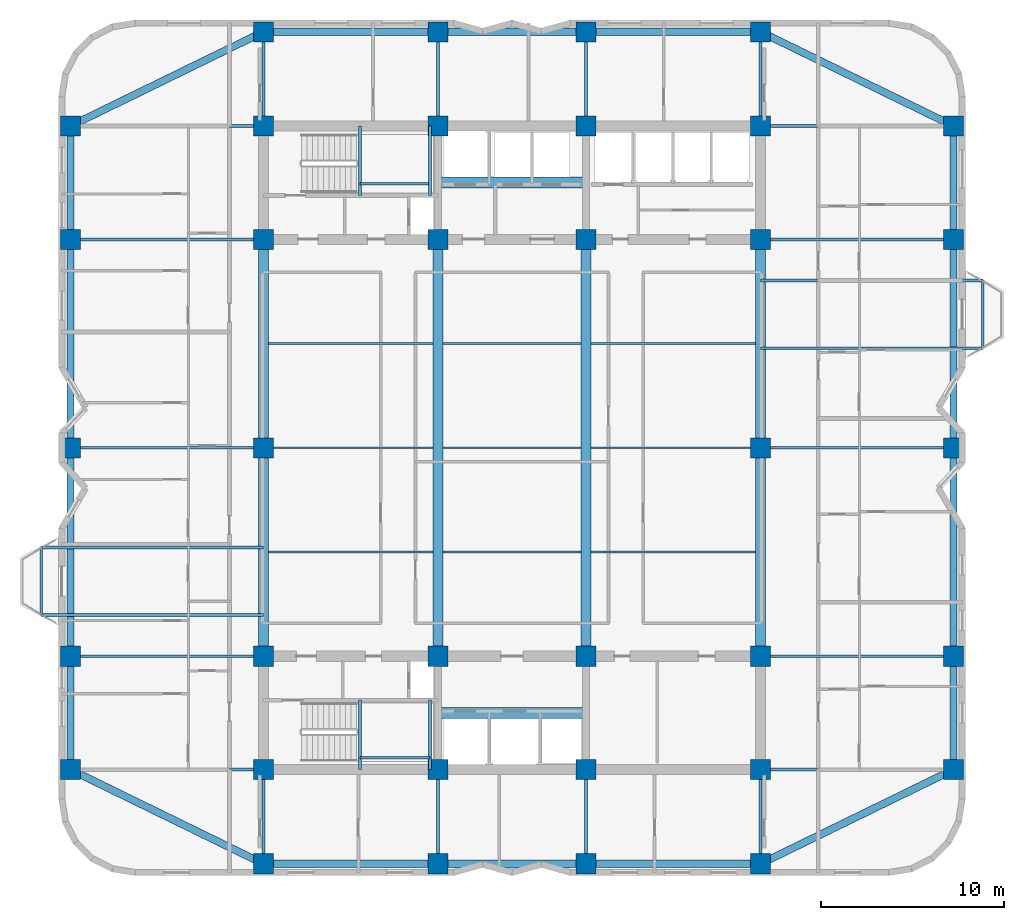
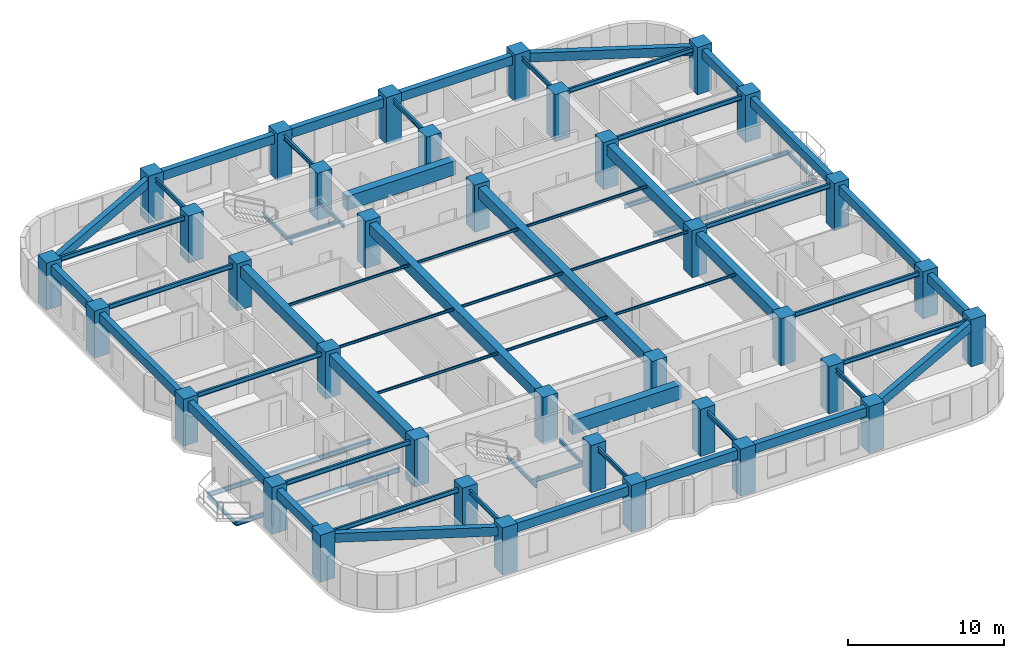
# One storey, part 1 of 10: 65 beams, 36 columns.
"""IFC4 building model written with IfcOpenShell, lengths in metres."""

import ifcopenshell
import ifcopenshell.guid

model = None  # the IFC model being written
_history = None  # IfcOwnerHistory: only IFC2X3 demands one
_inside = {}  # id of a spatial element -> (the spatial element, [elements in it])
_under = {}  # id of a project, library or spatial element -> (it, [spatial elements below it])
_declared = {}  # id of a project -> (the project, [libraries it declares])
_typed = {}  # id of a type object -> (the type object, [elements of that type])
_made_of = {}  # id of a material, layer set ... -> (it, [elements and type objects made of it])


def new_model(schema):
    """Start an empty IFC model of exactly this schema.

    Asked for "IFC4X3", IfcOpenShell would pick the latest addendum, in which some entities
    have other attributes; the version numbers below select the first issue.
    IFC2X3 requires an IfcOwnerHistory on every rooted entity: one is made here for all.
    """
    global model, _history
    if schema == "IFC4X3":
        model = ifcopenshell.file(schema_version=(4, 3, 0, 0))
    else:
        model = ifcopenshell.file(schema=schema)
    _inside.clear()
    _under.clear()
    _declared.clear()
    _typed.clear()
    _made_of.clear()
    _history = None
    if model.schema == "IFC2X3":
        org = make("IfcOrganization", Name="unknown")
        user = make(
            "IfcPersonAndOrganization",
            ThePerson=make("IfcPerson", FamilyName="unknown"),
            TheOrganization=org,
        )
        app = make(
            "IfcApplication",
            ApplicationDeveloper=org,
            Version="unknown",
            ApplicationFullName="unknown",
            ApplicationIdentifier="unknown",
        )
        _history = make(
            "IfcOwnerHistory",
            OwningUser=user,
            OwningApplication=app,
            ChangeAction="ADDED",
            CreationDate=0,
        )
    return model


def make(cls, **values):
    """One entity of the class cls with the attributes given. An attribute that is None is left unset."""
    return model.create_entity(
        cls, **{name: value for name, value in values.items() if value is not None}
    )


def rooted(cls, **values):
    """An entity with a GlobalId (a new one), such as an element, a storey or a relation."""
    return make(cls, GlobalId=ifcopenshell.guid.new(), OwnerHistory=_history, **values)


def si_unit(unit_type, name, prefix=None):
    """IfcSIUnit, for example si_unit("LENGTHUNIT", "METRE", prefix="MILLI")."""
    return make("IfcSIUnit", UnitType=unit_type, Prefix=prefix, Name=name)


def assignment(units):
    """IfcUnitAssignment: the units of a project."""
    return None if units is None else make("IfcUnitAssignment", Units=units)


def point(xyz):
    """IfcCartesianPoint."""
    return None if xyz is None else make("IfcCartesianPoint", Coordinates=xyz)


def direction(xyz):
    """IfcDirection."""
    return None if xyz is None else make("IfcDirection", DirectionRatios=xyz)


def frame(location, z_axis=None, x_axis=None):
    """IfcAxis2Placement3D, a coordinate frame: its origin and axes. An axis left out is left unset."""
    return make(
        "IfcAxis2Placement3D",
        Location=point(location),
        Axis=direction(z_axis),
        RefDirection=direction(x_axis),
    )


def frame_2d(location, x_axis=None):
    """IfcAxis2Placement2D, a coordinate frame in the plane: its origin and x axis."""
    return make(
        "IfcAxis2Placement2D", Location=point(location), RefDirection=direction(x_axis)
    )


def origin():
    """The frame at (0, 0, 0) with its axes left unset."""
    return frame((0.0, 0.0, 0.0))


def origin_2d():
    """The frame at (0, 0) in the plane with its x axis left unset."""
    return frame_2d((0.0, 0.0))


def place(relative_to, where):
    """IfcLocalPlacement: puts the frame where relative to a parent placement (None: the world)."""
    return make(
        "IfcLocalPlacement", PlacementRelTo=relative_to, RelativePlacement=where
    )


def context(
    kind, dimensions, precision=None, world=None, true_north=None, identifier=None
):
    """IfcGeometricRepresentationContext, for example the 3D "Model" context."""
    return make(
        "IfcGeometricRepresentationContext",
        ContextIdentifier=identifier,
        ContextType=kind,
        CoordinateSpaceDimension=dimensions,
        Precision=precision,
        WorldCoordinateSystem=world,
        TrueNorth=true_north,
    )


def subcontext(parent, identifier, kind, view, scale=None):
    """IfcGeometricRepresentationSubContext, for example "Body" below "Model"."""
    return make(
        "IfcGeometricRepresentationSubContext",
        ContextIdentifier=identifier,
        ContextType=kind,
        ParentContext=parent,
        TargetScale=scale,
        TargetView=view,
    )


def project(units=None, contexts=None):
    """IfcProject with its units and contexts."""
    return rooted(
        "IfcProject",
        Name="project",
        RepresentationContexts=contexts,
        UnitsInContext=assignment(units),
    )


def spatial(cls, under=None, at=None, **own):
    """A site, building, storey or space (cls), placed at a placement, below another one or the project."""
    s = rooted(cls, ObjectPlacement=at, **own)
    if under is not None:
        _under.setdefault(under.id(), (under, []))[1].append(s)
    return s


def profile(cls, at=None, kind="AREA", **sizes):
    """A parametric profile (cls). Its sizes go by their IFC names, for example OverallWidth=200.0."""
    return make(cls, ProfileType=kind, Position=at, **sizes)


def rectangle(**sizes):
    """IfcRectangleProfileDef."""
    return profile("IfcRectangleProfileDef", **sizes)


def i_section(**sizes):
    """IfcIShapeProfileDef."""
    return profile("IfcIShapeProfileDef", **sizes)


def extrude(swept, where, along, depth):
    """IfcExtrudedAreaSolid: the profile swept, set in the frame where, extruded along a direction by depth."""
    return make(
        "IfcExtrudedAreaSolid",
        SweptArea=swept,
        Position=where,
        ExtrudedDirection=direction(along),
        Depth=depth,
    )


def shape(context_of_items, identifier, shape_type, items):
    """IfcShapeRepresentation: the items that make up one representation, for example the "Body"."""
    return make(
        "IfcShapeRepresentation",
        ContextOfItems=context_of_items,
        RepresentationIdentifier=identifier,
        RepresentationType=shape_type,
        Items=items,
    )


def material(Name=None, Category=None):
    """IfcMaterial."""
    return make("IfcMaterial", Name=Name, Category=Category)


def material_profile(
    of_material, cross_section, Name=None, Category=None, Priority=None
):
    """IfcMaterialProfile: a cross section and its material."""
    return make(
        "IfcMaterialProfile",
        Name=Name,
        Material=of_material,
        Profile=cross_section,
        Priority=Priority,
        Category=Category,
    )


def profile_set(profiles, Name=None, composite=None):
    """IfcMaterialProfileSet."""
    return make(
        "IfcMaterialProfileSet",
        Name=Name,
        MaterialProfiles=profiles,
        CompositeProfile=composite,
    )


def made_of(thing, what):
    """Note that an element or type object is made of a material, layer set ...; save() writes the relation."""
    if what is not None:
        _made_of.setdefault(what.id(), (what, []))[1].append(thing)
    return thing


def type_object(cls, material=None, **own):
    """A type object (cls), such as IfcWallType, which elements share."""
    return made_of(rooted(cls, **own), material)


def element(
    cls,
    number,
    at=None,
    inside=None,
    cuts=None,
    type_object=None,
    material=None,
    context=None,
    identifier="Body",
    shape_type=None,
    held_by="IfcProductDefinitionShape",
    body=None,
    shapes=None,
    **own,
):
    """One element of the class cls, such as IfcWall. Its Tag is "e" and its number.

    at: its placement. inside: the storey or other place that contains it. cuts: it is an
    opening in that element (IfcRelVoidsElement). A single representation is given by context,
    identifier, shape_type and body (its items); several are given by shapes. held_by: the class
    of the entity that holds the representations. save() writes the other relations.
    """
    e = rooted(cls, Tag="e%d" % number, ObjectPlacement=at, **own)
    if body is not None:
        shapes = [shape(context, identifier, shape_type, body)]
    if shapes is not None:
        e.Representation = make(held_by, Representations=shapes)
    if inside is not None:
        _inside.setdefault(inside.id(), (inside, []))[1].append(e)
    if cuts is not None:
        rooted(
            "IfcRelVoidsElement", RelatingBuildingElement=cuts, RelatedOpeningElement=e
        )
    if type_object is not None:
        _typed.setdefault(type_object.id(), (type_object, []))[1].append(e)
    return made_of(e, material)


def aggregate(whole, parts):
    """IfcRelAggregates: a whole, such as a stair, and the parts it consists of."""
    return rooted("IfcRelAggregates", RelatingObject=whole, RelatedObjects=parts)


def save(model, path):
    """Write the relations noted so far, then the file.

    IfcRelAggregates (storeys below a building ...), IfcRelContainedInSpatialStructure (elements
    in a storey), IfcRelDefinesByType, IfcRelAssociatesMaterial and IfcRelDeclares: one each for
    every whole, place, type object, material and project.
    """
    for whole, parts in _under.values():
        aggregate(whole, parts)
    for where, things in _inside.values():
        rooted(
            "IfcRelContainedInSpatialStructure",
            RelatedElements=things,
            RelatingStructure=where,
        )
    for kind, things in _typed.values():
        rooted("IfcRelDefinesByType", RelatedObjects=things, RelatingType=kind)
    for what, things in _made_of.values():
        rooted("IfcRelAssociatesMaterial", RelatedObjects=things, RelatingMaterial=what)
    for by, libraries in _declared.values():
        rooted("IfcRelDeclares", RelatingContext=by, RelatedDefinitions=libraries)
    model.write(path)


model = new_model("IFC4")

# Units and contexts
model_context = context("Model", 3, precision=1e-05, world=origin(), true_north=direction((0.0, 1.0)))
body_context = subcontext(model_context, "Body", "Model", "MODEL_VIEW")
ifc_project = project(units=[si_unit("LENGTHUNIT", "METRE"), si_unit("AREAUNIT", "SQUARE_METRE"), si_unit("VOLUMEUNIT", "CUBIC_METRE"), si_unit("PLANEANGLEUNIT", "RADIAN"), si_unit("MASSUNIT", "GRAM", prefix="KILO")], contexts=[model_context])

# Site, building, storey
site_placement = place(None, origin())
site = spatial("IfcSite", under=ifc_project, at=site_placement, CompositionType="ELEMENT")
building_placement = place(site_placement, origin())
building = spatial("IfcBuilding", under=site, at=building_placement, Name="Svetorya Sky Lyceum", CompositionType="ELEMENT")
storey_placement = place(building_placement, frame((0.0, 0.0, 110.5)))
storey = spatial("IfcBuildingStorey", under=building, at=storey_placement, Name="L27", CompositionType="ELEMENT", Elevation=110.5)

# Columns
ifc_material_1 = material(Name="Concrete C50/60", Category="concrete")
ifc_material_profile_1 = material_profile(ifc_material_1, rectangle(XDim=1.10009765625, YDim=1.10009765625, at=origin_2d()), Name="RC COL 1100x1100")
ifc_profile_set_1 = profile_set([ifc_material_profile_1], Name="Concrete C50/60")
column_type = type_object("IfcColumnType", Name="COL-RC-1100", PredefinedType="COLUMN", material=ifc_profile_set_1)
for number, where, z_axis, x_axis, name in (
    (1, (25.60009765625, 10.60009765625, 0.0), (0.0, 0.0, 1.0), (1.0, 0.0, 0.0), "L27 Core Column CS-11"),
    (2, (25.60009765625, 16.800048828125, 0.0), (0.0, 0.0, 1.0), (1.0, 0.0, 0.0), "L27 Core Column CS-12"),
    (3, (35.14990234375, 10.60009765625, 0.0), (0.0, 0.0, 1.0), (1.0, 0.0, 0.0), "L27 Core Column CS-21"),
    (4, (35.14990234375, 16.800048828125, 0.0), (0.0, 0.0, 1.0), (1.0, 0.0, 0.0), "L27 Core Column CS-22"),
    (5, (43.25, 10.60009765625, 0.0), (0.0, 0.0, 1.0), (1.0, 0.0, 0.0), "L27 Core Column CS-31"),
    (6, (43.25, 16.800048828125, 0.0), (0.0, 0.0, 1.0), (1.0, 0.0, 0.0), "L27 Core Column CS-32"),
    (7, (52.800048828125, 10.60009765625, 0.0), (0.0, 0.0, 1.0), (1.0, 0.0, 0.0), "L27 Core Column CS-41"),
    (8, (52.800048828125, 16.800048828125, 0.0), (0.0, 0.0, 1.0), (1.0, 0.0, 0.0), "L27 Core Column CS-42"),
    (9, (25.60009765625, 39.60009765625, 0.0), (0.0, 0.0, 1.0), (1.0, 0.0, 0.0), "L27 Core Column CN-11"),
    (10, (25.60009765625, 45.800048828125, 0.0), (0.0, 0.0, 1.0), (1.0, 0.0, 0.0), "L27 Core Column CN-12"),
    (11, (35.14990234375, 39.60009765625, 0.0), (0.0, 0.0, 1.0), (1.0, 0.0, 0.0), "L27 Core Column CN-21"),
    (12, (35.14990234375, 45.800048828125, 0.0), (0.0, 0.0, 1.0), (1.0, 0.0, 0.0), "L27 Core Column CN-22"),
    (13, (43.25, 39.60009765625, 0.0), (0.0, 0.0, 1.0), (1.0, 0.0, 0.0), "L27 Core Column CN-31"),
    (14, (43.25, 45.800048828125, 0.0), (0.0, 0.0, 1.0), (1.0, 0.0, 0.0), "L27 Core Column CN-32"),
    (15, (52.800048828125, 39.60009765625, 0.0), (0.0, 0.0, 1.0), (1.0, 0.0, 0.0), "L27 Core Column CN-41"),
    (16, (52.800048828125, 45.800048828125, 0.0), (0.0, 0.0, 1.0), (1.0, 0.0, 0.0), "L27 Core Column CN-42"),
    (17, (25.60009765625, 28.199951171875, 0.0), (0.0, 0.0, 1.0), (1.0, 0.0, 0.0), "L27 Core Column CM-W"),
    (18, (52.800048828125, 28.199951171875, 0.0), (0.0, 0.0, 1.0), (1.0, 0.0, 0.0), "L27 Core Column CM-E"),
    (19, (25.60009765625, 5.449951171875, 0.0), (0.0, 0.0, 1.0), (1.0, 0.0, 0.0), "L27 Perimeter Column S1"),
    (20, (25.60009765625, 50.949951171875, 0.0), (0.0, 0.0, 1.0), (1.0, 0.0, 0.0), "L27 Perimeter Column N1"),
    (21, (35.14990234375, 5.449951171875, 0.0), (0.0, 0.0, 1.0), (1.0, 0.0, 0.0), "L27 Perimeter Column S2"),
    (22, (35.14990234375, 50.949951171875, 0.0), (0.0, 0.0, 1.0), (1.0, 0.0, 0.0), "L27 Perimeter Column N2"),
    (23, (43.25, 5.449951171875, 0.0), (0.0, 0.0, 1.0), (1.0, 0.0, 0.0), "L27 Perimeter Column S3"),
    (24, (43.25, 50.949951171875, 0.0), (0.0, 0.0, 1.0), (1.0, 0.0, 0.0), "L27 Perimeter Column N3"),
    (25, (52.800048828125, 5.449951171875, 0.0), (0.0, 0.0, 1.0), (1.0, 0.0, 0.0), "L27 Perimeter Column S4"),
    (26, (52.800048828125, 50.949951171875, 0.0), (0.0, 0.0, 1.0), (1.0, 0.0, 0.0), "L27 Perimeter Column N4"),
    (27, (15.050048828125, 10.60009765625, 0.0), (0.0, 0.0, 1.0), (1.0, 0.0, 0.0), "L27 Perimeter Column W1"),
    (28, (63.35009765625, 10.60009765625, 0.0), (0.0, 0.0, 1.0), (1.0, 0.0, 0.0), "L27 Perimeter Column E1"),
    (29, (15.050048828125, 16.800048828125, 0.0), (0.0, 0.0, 1.0), (1.0, 0.0, 0.0), "L27 Perimeter Column W2"),
    (30, (63.35009765625, 16.800048828125, 0.0), (0.0, 0.0, 1.0), (1.0, 0.0, 0.0), "L27 Perimeter Column E2"),
    (31, (15.050048828125, 28.199951171875, 0.0), (0.0, 0.0, 1.0), (1.0, 0.0, 0.0), "L27 Perimeter Column W3"),
    (32, (63.35009765625, 28.199951171875, 0.0), (0.0, 0.0, 1.0), (1.0, 0.0, 0.0), "L27 Perimeter Column E3"),
    (33, (15.050048828125, 39.60009765625, 0.0), (0.0, 0.0, 1.0), (1.0, 0.0, 0.0), "L27 Perimeter Column W4"),
    (34, (63.35009765625, 39.60009765625, 0.0), (0.0, 0.0, 1.0), (1.0, 0.0, 0.0), "L27 Perimeter Column E4"),
    (35, (15.050048828125, 45.800048828125, 0.0), (0.0, 0.0, 1.0), (1.0, 0.0, 0.0), "L27 Perimeter Column W5"),
    (36, (63.35009765625, 45.800048828125, 0.0), (0.0, 0.0, 1.0), (1.0, 0.0, 0.0), "L27 Perimeter Column E5"),
):
    element("IfcColumn", number, at=place(storey_placement, frame(where, z_axis=z_axis, x_axis=x_axis)), inside=storey, type_object=column_type, Name=name, PredefinedType="COLUMN", context=body_context, shape_type="SweptSolid", body=[
        extrude(rectangle(XDim=1.10009765625, YDim=1.10009765625, at=origin_2d()), origin(), (0.0, 0.0, 1.0), 3.699951171875),
    ])

# Beams
ifc_material_2 = material(Name="Concrete C60/75", Category="concrete")
ifc_material_profile_2 = material_profile(ifc_material_2, rectangle(XDim=0.60009765625, YDim=1.10009765625, at=origin_2d()), Name="RC COUPLING 600x1100")
ifc_profile_set_2 = profile_set([ifc_material_profile_2], Name="Concrete C60/75")
beam_type_1 = type_object("IfcBeamType", Name="BM-CPL-1100", PredefinedType="LINTEL", material=ifc_profile_set_2)
for number, where, z_axis, x_axis, name in (
    (37, (35.14990234375, 13.699951171875, 2.8701171875), (1.0, 0.0, 0.0), (0.0, 1.0, 0.0), "L27 SC Core Coupling Beam"),
    (38, (35.14990234375, 42.699951171875, 2.8701171875), (1.0, 0.0, 0.0), (0.0, 1.0, 0.0), "L27 NC Core Coupling Beam"),
):
    element("IfcBeam", number, at=place(storey_placement, frame(where, z_axis=z_axis, x_axis=x_axis)), inside=storey, type_object=beam_type_1, Name=name, PredefinedType="LINTEL", context=body_context, shape_type="SweptSolid", body=[
        extrude(rectangle(XDim=0.60009765625, YDim=1.10009765625, at=origin_2d()), origin(), (0.0, 0.0, 1.0), 8.10009765625),
    ])
ifc_material_profile_3 = material_profile(ifc_material_1, rectangle(XDim=0.550048828125, YDim=0.85009765625, at=origin_2d()), Name="RC BEAM 550x850")
ifc_profile_set_3 = profile_set([ifc_material_profile_3], Name="Concrete C50/60")
beam_type_2 = type_object("IfcBeamType", Name="BM-RC-850", PredefinedType="BEAM", material=ifc_profile_set_3)
beam_1_placement = place(storey_placement, frame((25.60009765625, 16.800048828125, 2.9951171875), z_axis=(0.0, 1.0, 0.0), x_axis=(-1.0, 0.0, 0.0)))
element("IfcBeam", 39, at=beam_1_placement, inside=storey, type_object=beam_type_2, Name="L27 Central Bay Primary Girder CG-1A", PredefinedType="BEAM", context=body_context, shape_type="SweptSolid", body=[
    extrude(rectangle(XDim=0.550048828125, YDim=0.85009765625, at=origin_2d()), origin(), (0.0, 0.0, 1.0), 11.39990234375),
])
beam_2_placement = place(storey_placement, frame((25.60009765625, 28.199951171875, 2.9951171875), z_axis=(0.0, 1.0, 0.0), x_axis=(-1.0, 0.0, 0.0)))
element("IfcBeam", 40, at=beam_2_placement, inside=storey, type_object=beam_type_2, Name="L27 Central Bay Primary Girder CG-1B", PredefinedType="BEAM", context=body_context, shape_type="SweptSolid", body=[
    extrude(rectangle(XDim=0.550048828125, YDim=0.85009765625, at=origin_2d()), origin(), (0.0, 0.0, 1.0), 11.400146484375),
])
for number, where, z_axis, x_axis, name in (
    (41, (35.14990234375, 16.800048828125, 2.9951171875), (0.0, 1.0, 0.0), (-1.0, 0.0, 0.0), "L27 Central Bay Primary Girder CG-2"),
    (42, (43.25, 16.800048828125, 2.9951171875), (0.0, 1.0, 0.0), (-1.0, 0.0, 0.0), "L27 Central Bay Primary Girder CG-3"),
):
    element("IfcBeam", number, at=place(storey_placement, frame(where, z_axis=z_axis, x_axis=x_axis)), inside=storey, type_object=beam_type_2, Name=name, PredefinedType="BEAM", context=body_context, shape_type="SweptSolid", body=[
        extrude(rectangle(XDim=0.550048828125, YDim=0.85009765625, at=origin_2d()), origin(), (0.0, 0.0, 1.0), 22.800048828125),
    ])
beam_3_placement = place(storey_placement, frame((52.800048828125, 16.800048828125, 2.9951171875), z_axis=(0.0, 1.0, 0.0), x_axis=(-1.0, 0.0, 0.0)))
element("IfcBeam", 43, at=beam_3_placement, inside=storey, type_object=beam_type_2, Name="L27 Central Bay Primary Girder CG-4A", PredefinedType="BEAM", context=body_context, shape_type="SweptSolid", body=[
    extrude(rectangle(XDim=0.550048828125, YDim=0.85009765625, at=origin_2d()), origin(), (0.0, 0.0, 1.0), 11.39990234375),
])
beam_4_placement = place(storey_placement, frame((52.800048828125, 28.199951171875, 2.9951171875), z_axis=(0.0, 1.0, 0.0), x_axis=(-1.0, 0.0, 0.0)))
element("IfcBeam", 44, at=beam_4_placement, inside=storey, type_object=beam_type_2, Name="L27 Central Bay Primary Girder CG-4B", PredefinedType="BEAM", context=body_context, shape_type="SweptSolid", body=[
    extrude(rectangle(XDim=0.550048828125, YDim=0.85009765625, at=origin_2d()), origin(), (0.0, 0.0, 1.0), 11.400146484375),
])
ifc_material_profile_4 = material_profile(ifc_material_1, rectangle(XDim=0.39990234375, YDim=0.699951171875, at=origin_2d()), Name="RC SPANDREL 400x700")
ifc_profile_set_4 = profile_set([ifc_material_profile_4], Name="Concrete C50/60")
beam_type_3 = type_object("IfcBeamType", Name="BM-SPN-700", PredefinedType="SPANDREL", material=ifc_profile_set_4)
beam_5_placement = place(storey_placement, frame((25.60009765625, 5.449951171875, 3.070068359375), z_axis=(1.0, 0.0, 0.0), x_axis=(0.0, 1.0, 0.0)))
element("IfcBeam", 45, at=beam_5_placement, inside=storey, type_object=beam_type_3, Name="L27 South Spandrel 1", PredefinedType="SPANDREL", context=body_context, shape_type="SweptSolid", body=[
    extrude(rectangle(XDim=0.39990234375, YDim=0.699951171875, at=origin_2d()), origin(), (0.0, 0.0, 1.0), 9.5498046875),
])
beam_6_placement = place(storey_placement, frame((35.14990234375, 5.449951171875, 3.070068359375), z_axis=(1.0, 0.0, 0.0), x_axis=(0.0, 1.0, 0.0)))
element("IfcBeam", 46, at=beam_6_placement, inside=storey, type_object=beam_type_3, Name="L27 South Spandrel 2", PredefinedType="SPANDREL", context=body_context, shape_type="SweptSolid", body=[
    extrude(rectangle(XDim=0.39990234375, YDim=0.699951171875, at=origin_2d()), origin(), (0.0, 0.0, 1.0), 8.10009765625),
])
beam_7_placement = place(storey_placement, frame((43.25, 5.449951171875, 3.070068359375), z_axis=(1.0, 0.0, 0.0), x_axis=(0.0, 1.0, 0.0)))
element("IfcBeam", 47, at=beam_7_placement, inside=storey, type_object=beam_type_3, Name="L27 South Spandrel 3", PredefinedType="SPANDREL", context=body_context, shape_type="SweptSolid", body=[
    extrude(rectangle(XDim=0.39990234375, YDim=0.699951171875, at=origin_2d()), origin(), (0.0, 0.0, 1.0), 9.550048828125),
])
beam_8_placement = place(storey_placement, frame((25.60009765625, 50.949951171875, 3.070068359375), z_axis=(1.0, 0.0, 0.0), x_axis=(0.0, 1.0, 0.0)))
element("IfcBeam", 48, at=beam_8_placement, inside=storey, type_object=beam_type_3, Name="L27 North Spandrel 1", PredefinedType="SPANDREL", context=body_context, shape_type="SweptSolid", body=[
    extrude(rectangle(XDim=0.39990234375, YDim=0.699951171875, at=origin_2d()), origin(), (0.0, 0.0, 1.0), 9.5498046875),
])
beam_9_placement = place(storey_placement, frame((35.14990234375, 50.949951171875, 3.070068359375), z_axis=(1.0, 0.0, 0.0), x_axis=(0.0, 1.0, 0.0)))
element("IfcBeam", 49, at=beam_9_placement, inside=storey, type_object=beam_type_3, Name="L27 North Spandrel 2", PredefinedType="SPANDREL", context=body_context, shape_type="SweptSolid", body=[
    extrude(rectangle(XDim=0.39990234375, YDim=0.699951171875, at=origin_2d()), origin(), (0.0, 0.0, 1.0), 8.10009765625),
])
beam_10_placement = place(storey_placement, frame((43.25, 50.949951171875, 3.070068359375), z_axis=(1.0, 0.0, 0.0), x_axis=(0.0, 1.0, 0.0)))
element("IfcBeam", 50, at=beam_10_placement, inside=storey, type_object=beam_type_3, Name="L27 North Spandrel 3", PredefinedType="SPANDREL", context=body_context, shape_type="SweptSolid", body=[
    extrude(rectangle(XDim=0.39990234375, YDim=0.699951171875, at=origin_2d()), origin(), (0.0, 0.0, 1.0), 9.550048828125),
])
for number, where, z_axis, x_axis, name in (
    (51, (25.60009765625, 5.449951171875, 3.070068359375), (-0.898641495694, 0.438683783854, 0.0), (-0.438683783854, -0.898641495694, 0.0), "L27 Corner Spandrel 1"),
    (52, (52.800048828125, 5.449951171875, 3.070068359375), (0.898641495694, 0.438683783854, 0.0), (-0.438683783854, 0.898641495694, 0.0), "L27 Corner Spandrel 2"),
    (53, (63.35009765625, 45.800048828125, 3.070068359375), (-0.898649693653, 0.438666989978, 0.0), (-0.438666989978, -0.898649693653, 0.0), "L27 Corner Spandrel 3"),
    (54, (15.050048828125, 45.800048828125, 3.070068359375), (0.898649693653, 0.438666989978, 0.0), (-0.438666989978, 0.898649693653, 0.0), "L27 Corner Spandrel 4"),
):
    element("IfcBeam", number, at=place(storey_placement, frame(where, z_axis=z_axis, x_axis=x_axis)), inside=storey, type_object=beam_type_3, Name=name, PredefinedType="SPANDREL", context=body_context, shape_type="SweptSolid", body=[
        extrude(rectangle(XDim=0.39990234375, YDim=0.699951171875, at=origin_2d()), origin(), (0.0, 0.0, 1.0), 11.739990234375),
    ])
beam_11_placement = place(storey_placement, frame((15.050048828125, 10.60009765625, 3.070068359375), z_axis=(0.0, 1.0, 0.0), x_axis=(-1.0, 0.0, 0.0)))
element("IfcBeam", 55, at=beam_11_placement, inside=storey, type_object=beam_type_3, Name="L27 West Spandrel 1", PredefinedType="SPANDREL", context=body_context, shape_type="SweptSolid", body=[
    extrude(rectangle(XDim=0.39990234375, YDim=0.699951171875, at=origin_2d()), origin(), (0.0, 0.0, 1.0), 6.199951171875),
])
beam_12_placement = place(storey_placement, frame((15.050048828125, 16.800048828125, 3.070068359375), z_axis=(0.0, 1.0, 0.0), x_axis=(-1.0, 0.0, 0.0)))
element("IfcBeam", 56, at=beam_12_placement, inside=storey, type_object=beam_type_3, Name="L27 West Spandrel 2", PredefinedType="SPANDREL", context=body_context, shape_type="SweptSolid", body=[
    extrude(rectangle(XDim=0.39990234375, YDim=0.699951171875, at=origin_2d()), origin(), (0.0, 0.0, 1.0), 11.39990234375),
])
beam_13_placement = place(storey_placement, frame((15.050048828125, 28.199951171875, 3.070068359375), z_axis=(0.0, 1.0, 0.0), x_axis=(-1.0, 0.0, 0.0)))
element("IfcBeam", 57, at=beam_13_placement, inside=storey, type_object=beam_type_3, Name="L27 West Spandrel 3", PredefinedType="SPANDREL", context=body_context, shape_type="SweptSolid", body=[
    extrude(rectangle(XDim=0.39990234375, YDim=0.699951171875, at=origin_2d()), origin(), (0.0, 0.0, 1.0), 11.400146484375),
])
for number, where, z_axis, x_axis, name in (
    (58, (15.050048828125, 39.60009765625, 3.070068359375), (0.0, 1.0, 0.0), (-1.0, 0.0, 0.0), "L27 West Spandrel 4"),
    (59, (63.35009765625, 10.60009765625, 3.070068359375), (0.0, 1.0, 0.0), (-1.0, 0.0, 0.0), "L27 East Spandrel 1"),
):
    element("IfcBeam", number, at=place(storey_placement, frame(where, z_axis=z_axis, x_axis=x_axis)), inside=storey, type_object=beam_type_3, Name=name, PredefinedType="SPANDREL", context=body_context, shape_type="SweptSolid", body=[
        extrude(rectangle(XDim=0.39990234375, YDim=0.699951171875, at=origin_2d()), origin(), (0.0, 0.0, 1.0), 6.199951171875),
    ])
beam_14_placement = place(storey_placement, frame((63.35009765625, 16.800048828125, 3.070068359375), z_axis=(0.0, 1.0, 0.0), x_axis=(-1.0, 0.0, 0.0)))
element("IfcBeam", 60, at=beam_14_placement, inside=storey, type_object=beam_type_3, Name="L27 East Spandrel 2", PredefinedType="SPANDREL", context=body_context, shape_type="SweptSolid", body=[
    extrude(rectangle(XDim=0.39990234375, YDim=0.699951171875, at=origin_2d()), origin(), (0.0, 0.0, 1.0), 11.39990234375),
])
beam_15_placement = place(storey_placement, frame((63.35009765625, 28.199951171875, 3.070068359375), z_axis=(0.0, 1.0, 0.0), x_axis=(-1.0, 0.0, 0.0)))
element("IfcBeam", 61, at=beam_15_placement, inside=storey, type_object=beam_type_3, Name="L27 East Spandrel 3", PredefinedType="SPANDREL", context=body_context, shape_type="SweptSolid", body=[
    extrude(rectangle(XDim=0.39990234375, YDim=0.699951171875, at=origin_2d()), origin(), (0.0, 0.0, 1.0), 11.400146484375),
])
beam_16_placement = place(storey_placement, frame((63.35009765625, 39.60009765625, 3.070068359375), z_axis=(0.0, 1.0, 0.0), x_axis=(-1.0, 0.0, 0.0)))
element("IfcBeam", 62, at=beam_16_placement, inside=storey, type_object=beam_type_3, Name="L27 East Spandrel 4", PredefinedType="SPANDREL", context=body_context, shape_type="SweptSolid", body=[
    extrude(rectangle(XDim=0.39990234375, YDim=0.699951171875, at=origin_2d()), origin(), (0.0, 0.0, 1.0), 6.199951171875),
])
ifc_material_3 = material(Name="Steel S355", Category="steel")
ifc_material_profile_5 = material_profile(ifc_material_3, i_section(OverallWidth=0.10009765625, OverallDepth=0.199951171875, WebThickness=0.005615234375, FlangeThickness=0.008544921875, at=origin_2d()), Name="GOST 20B1")
ifc_profile_set_5 = profile_set([ifc_material_profile_5], Name="Steel S355")
beam_type_4 = type_object("IfcBeamType", Name="BM-STL-20B1", PredefinedType="JOIST", material=ifc_profile_set_5)
beam_17_placement = place(storey_placement, frame((25.875, 22.5, 3.320068359375), z_axis=(1.0, 0.0, 0.0), x_axis=(0.0, 1.0, 0.0)))
element("IfcBeam", 63, at=beam_17_placement, inside=storey, type_object=beam_type_4, Name="L27 Central Floor Joist CJ-1.1", PredefinedType="JOIST", context=body_context, shape_type="SweptSolid", body=[
    extrude(i_section(OverallWidth=0.10009765625, OverallDepth=0.199951171875, WebThickness=0.005615234375, FlangeThickness=0.008544921875, at=origin_2d()), origin(), (0.0, 0.0, 1.0), 9.0),
])
beam_18_placement = place(storey_placement, frame((35.425048828125, 22.5, 3.320068359375), z_axis=(1.0, 0.0, 0.0), x_axis=(0.0, 1.0, 0.0)))
element("IfcBeam", 64, at=beam_18_placement, inside=storey, type_object=beam_type_4, Name="L27 Central Floor Joist CJ-1.2", PredefinedType="JOIST", context=body_context, shape_type="SweptSolid", body=[
    extrude(i_section(OverallWidth=0.10009765625, OverallDepth=0.199951171875, WebThickness=0.005615234375, FlangeThickness=0.008544921875, at=origin_2d()), origin(), (0.0, 0.0, 1.0), 7.550048828125),
])
for number, where, z_axis, x_axis, name in (
    (65, (43.52490234375, 22.5, 3.320068359375), (1.0, 0.0, 0.0), (0.0, 1.0, 0.0), "L27 Central Floor Joist CJ-1.3"),
    (66, (25.875, 28.199951171875, 3.320068359375), (1.0, 0.0, 0.0), (0.0, 1.0, 0.0), "L27 Central Floor Joist CJ-2.1"),
):
    element("IfcBeam", number, at=place(storey_placement, frame(where, z_axis=z_axis, x_axis=x_axis)), inside=storey, type_object=beam_type_4, Name=name, PredefinedType="JOIST", context=body_context, shape_type="SweptSolid", body=[
        extrude(i_section(OverallWidth=0.10009765625, OverallDepth=0.199951171875, WebThickness=0.005615234375, FlangeThickness=0.008544921875, at=origin_2d()), origin(), (0.0, 0.0, 1.0), 9.0),
    ])
beam_19_placement = place(storey_placement, frame((35.425048828125, 28.199951171875, 3.320068359375), z_axis=(1.0, 0.0, 0.0), x_axis=(0.0, 1.0, 0.0)))
element("IfcBeam", 67, at=beam_19_placement, inside=storey, type_object=beam_type_4, Name="L27 Central Floor Joist CJ-2.2", PredefinedType="JOIST", context=body_context, shape_type="SweptSolid", body=[
    extrude(i_section(OverallWidth=0.10009765625, OverallDepth=0.199951171875, WebThickness=0.005615234375, FlangeThickness=0.008544921875, at=origin_2d()), origin(), (0.0, 0.0, 1.0), 7.550048828125),
])
for number, where, z_axis, x_axis, name in (
    (68, (43.52490234375, 28.199951171875, 3.320068359375), (1.0, 0.0, 0.0), (0.0, 1.0, 0.0), "L27 Central Floor Joist CJ-2.3"),
    (69, (25.875, 33.89990234375, 3.320068359375), (1.0, 0.0, 0.0), (0.0, 1.0, 0.0), "L27 Central Floor Joist CJ-3.1"),
):
    element("IfcBeam", number, at=place(storey_placement, frame(where, z_axis=z_axis, x_axis=x_axis)), inside=storey, type_object=beam_type_4, Name=name, PredefinedType="JOIST", context=body_context, shape_type="SweptSolid", body=[
        extrude(i_section(OverallWidth=0.10009765625, OverallDepth=0.199951171875, WebThickness=0.005615234375, FlangeThickness=0.008544921875, at=origin_2d()), origin(), (0.0, 0.0, 1.0), 9.0),
    ])
beam_20_placement = place(storey_placement, frame((35.425048828125, 33.89990234375, 3.320068359375), z_axis=(1.0, 0.0, 0.0), x_axis=(0.0, 1.0, 0.0)))
element("IfcBeam", 70, at=beam_20_placement, inside=storey, type_object=beam_type_4, Name="L27 Central Floor Joist CJ-3.2", PredefinedType="JOIST", context=body_context, shape_type="SweptSolid", body=[
    extrude(i_section(OverallWidth=0.10009765625, OverallDepth=0.199951171875, WebThickness=0.005615234375, FlangeThickness=0.008544921875, at=origin_2d()), origin(), (0.0, 0.0, 1.0), 7.550048828125),
])
beam_21_placement = place(storey_placement, frame((43.52490234375, 33.89990234375, 3.320068359375), z_axis=(1.0, 0.0, 0.0), x_axis=(0.0, 1.0, 0.0)))
element("IfcBeam", 71, at=beam_21_placement, inside=storey, type_object=beam_type_4, Name="L27 Central Floor Joist CJ-3.3", PredefinedType="JOIST", context=body_context, shape_type="SweptSolid", body=[
    extrude(i_section(OverallWidth=0.10009765625, OverallDepth=0.199951171875, WebThickness=0.005615234375, FlangeThickness=0.008544921875, at=origin_2d()), origin(), (0.0, 0.0, 1.0), 9.0),
])
ifc_material_profile_6 = material_profile(ifc_material_3, i_section(OverallWidth=0.14990234375, OverallDepth=0.299072265625, WebThickness=0.006591796875, FlangeThickness=0.010498046875, at=origin_2d()), Name="GOST 30B2")
ifc_profile_set_6 = profile_set([ifc_material_profile_6], Name="Steel S355")
beam_type_5 = type_object("IfcBeamType", Name="BM-STL-30B2", PredefinedType="JOIST", material=ifc_profile_set_6)
beam_22_placement = place(storey_placement, frame((13.449951171875, 19.050048828125, -0.45458984375), z_axis=(0.0, 1.0, 0.0), x_axis=(-1.0, 0.0, 0.0)))
element("IfcBeam", 72, at=beam_22_placement, inside=storey, type_object=beam_type_5, Name="L27 Balcony Edge Tie BAL-W1", PredefinedType="JOIST", context=body_context, shape_type="SweptSolid", body=[
    extrude(i_section(OverallWidth=0.14990234375, OverallDepth=0.299072265625, WebThickness=0.006591796875, FlangeThickness=0.010498046875, at=origin_2d()), origin(), (0.0, 0.0, 1.0), 3.699951171875),
])
beam_23_placement = place(storey_placement, frame((64.949951171875, 33.64990234375, -0.45458984375), z_axis=(0.0, 1.0, 0.0), x_axis=(-1.0, 0.0, 0.0)))
element("IfcBeam", 73, at=beam_23_placement, inside=storey, type_object=beam_type_5, Name="L27 Balcony Edge Tie BAL-E1", PredefinedType="JOIST", context=body_context, shape_type="SweptSolid", body=[
    extrude(i_section(OverallWidth=0.14990234375, OverallDepth=0.299072265625, WebThickness=0.006591796875, FlangeThickness=0.010498046875, at=origin_2d()), origin(), (0.0, 0.0, 1.0), 3.7001953125),
])
for number, where, z_axis, x_axis, name in (
    (74, (30.8798828125, 10.60009765625, 1.50048828125), (0.0, 1.0, 0.0), (-1.0, 0.0, 0.0), "L27 Stair ST-S Half-Landing Support Beam 31.1"),
    (75, (34.719970703125, 10.60009765625, 1.50048828125), (0.0, 1.0, 0.0), (-1.0, 0.0, 0.0), "L27 Stair ST-S Half-Landing Support Beam 31.2"),
):
    element("IfcBeam", number, at=place(storey_placement, frame(where, z_axis=z_axis, x_axis=x_axis)), inside=storey, type_object=beam_type_5, Name=name, PredefinedType="JOIST", context=body_context, shape_type="SweptSolid", body=[
        extrude(i_section(OverallWidth=0.14990234375, OverallDepth=0.299072265625, WebThickness=0.006591796875, FlangeThickness=0.010498046875, at=origin_2d()), origin(), (0.0, 0.0, 1.0), 3.7998046875),
    ])
beam_24_placement = place(storey_placement, frame((30.8798828125, 11.25, 1.50048828125), z_axis=(1.0, 0.0, 0.0), x_axis=(0.0, 1.0, 0.0)))
element("IfcBeam", 76, at=beam_24_placement, inside=storey, type_object=beam_type_5, Name="L27 Stair ST-S Half-Landing Cross Tie 31", PredefinedType="JOIST", context=body_context, shape_type="SweptSolid", body=[
    extrude(i_section(OverallWidth=0.14990234375, OverallDepth=0.299072265625, WebThickness=0.006591796875, FlangeThickness=0.010498046875, at=origin_2d()), origin(), (0.0, 0.0, 1.0), 3.840087890625),
])
for number, where, z_axis, x_axis, name in (
    (77, (30.8798828125, 42.0, 1.50048828125), (0.0, 1.0, 0.0), (-1.0, 0.0, 0.0), "L27 Stair ST-N Half-Landing Support Beam 31.1"),
    (78, (34.719970703125, 42.0, 1.50048828125), (0.0, 1.0, 0.0), (-1.0, 0.0, 0.0), "L27 Stair ST-N Half-Landing Support Beam 31.2"),
):
    element("IfcBeam", number, at=place(storey_placement, frame(where, z_axis=z_axis, x_axis=x_axis)), inside=storey, type_object=beam_type_5, Name=name, PredefinedType="JOIST", context=body_context, shape_type="SweptSolid", body=[
        extrude(i_section(OverallWidth=0.14990234375, OverallDepth=0.299072265625, WebThickness=0.006591796875, FlangeThickness=0.010498046875, at=origin_2d()), origin(), (0.0, 0.0, 1.0), 3.800048828125),
    ])
beam_25_placement = place(storey_placement, frame((30.8798828125, 42.64990234375, 1.50048828125), z_axis=(1.0, 0.0, 0.0), x_axis=(0.0, 1.0, 0.0)))
element("IfcBeam", 79, at=beam_25_placement, inside=storey, type_object=beam_type_5, Name="L27 Stair ST-N Half-Landing Cross Tie 31", PredefinedType="JOIST", context=body_context, shape_type="SweptSolid", body=[
    extrude(i_section(OverallWidth=0.14990234375, OverallDepth=0.299072265625, WebThickness=0.006591796875, FlangeThickness=0.010498046875, at=origin_2d()), origin(), (0.0, 0.0, 1.0), 3.840087890625),
])
ifc_material_profile_7 = material_profile(ifc_material_3, i_section(OverallWidth=0.155029296875, OverallDepth=0.34912109375, WebThickness=0.007080078125, FlangeThickness=0.011474609375, at=origin_2d()), Name="GOST 35B2")
ifc_profile_set_7 = profile_set([ifc_material_profile_7], Name="Steel S355")
beam_type_6 = type_object("IfcBeamType", Name="BM-STL-35B2", PredefinedType="JOIST", material=ifc_profile_set_7)
for number, where, z_axis, x_axis, name in (
    (80, (25.60009765625, 19.050048828125, -0.45458984375), (-1.0, 0.0, 0.0), (0.0, -1.0, 0.0), "L27 Balcony Cantilever Beam BAL-W1-1"),
    (81, (25.60009765625, 22.75, -0.45458984375), (-1.0, 0.0, 0.0), (0.0, -1.0, 0.0), "L27 Balcony Cantilever Beam BAL-W1-2"),
):
    element("IfcBeam", number, at=place(storey_placement, frame(where, z_axis=z_axis, x_axis=x_axis)), inside=storey, type_object=beam_type_6, Name=name, PredefinedType="JOIST", context=body_context, shape_type="SweptSolid", body=[
        extrude(i_section(OverallWidth=0.155029296875, OverallDepth=0.34912109375, WebThickness=0.007080078125, FlangeThickness=0.011474609375, at=origin_2d()), origin(), (0.0, 0.0, 1.0), 12.150146484375),
    ])
for number, where, z_axis, x_axis, name in (
    (82, (52.800048828125, 33.64990234375, -0.45458984375), (1.0, 0.0, 0.0), (0.0, 1.0, 0.0), "L27 Balcony Cantilever Beam BAL-E1-1"),
    (83, (52.800048828125, 37.35009765625, -0.45458984375), (1.0, 0.0, 0.0), (0.0, 1.0, 0.0), "L27 Balcony Cantilever Beam BAL-E1-2"),
):
    element("IfcBeam", number, at=place(storey_placement, frame(where, z_axis=z_axis, x_axis=x_axis)), inside=storey, type_object=beam_type_6, Name=name, PredefinedType="JOIST", context=body_context, shape_type="SweptSolid", body=[
        extrude(i_section(OverallWidth=0.155029296875, OverallDepth=0.34912109375, WebThickness=0.007080078125, FlangeThickness=0.011474609375, at=origin_2d()), origin(), (0.0, 0.0, 1.0), 12.14990234375),
    ])
for number, where, z_axis, x_axis, name in (
    (84, (15.050048828125, 10.60009765625, 3.24560546875), (1.0, 0.0, 0.0), (0.0, 1.0, 0.0), "L27 West Wing Floor Joist W1"),
    (85, (52.800048828125, 10.60009765625, 3.24560546875), (1.0, 0.0, 0.0), (0.0, 1.0, 0.0), "L27 East Wing Floor Joist E1"),
    (86, (15.050048828125, 16.800048828125, 3.24560546875), (1.0, 0.0, 0.0), (0.0, 1.0, 0.0), "L27 West Wing Floor Joist W2"),
    (87, (52.800048828125, 16.800048828125, 3.24560546875), (1.0, 0.0, 0.0), (0.0, 1.0, 0.0), "L27 East Wing Floor Joist E2"),
    (88, (15.050048828125, 28.199951171875, 3.24560546875), (1.0, 0.0, 0.0), (0.0, 1.0, 0.0), "L27 West Wing Floor Joist W3"),
    (89, (52.800048828125, 28.199951171875, 3.24560546875), (1.0, 0.0, 0.0), (0.0, 1.0, 0.0), "L27 East Wing Floor Joist E3"),
    (90, (15.050048828125, 39.60009765625, 3.24560546875), (1.0, 0.0, 0.0), (0.0, 1.0, 0.0), "L27 West Wing Floor Joist W4"),
    (91, (52.800048828125, 39.60009765625, 3.24560546875), (1.0, 0.0, 0.0), (0.0, 1.0, 0.0), "L27 East Wing Floor Joist E4"),
    (92, (15.050048828125, 45.800048828125, 3.24560546875), (1.0, 0.0, 0.0), (0.0, 1.0, 0.0), "L27 West Wing Floor Joist W5"),
    (93, (52.800048828125, 45.800048828125, 3.24560546875), (1.0, 0.0, 0.0), (0.0, 1.0, 0.0), "L27 East Wing Floor Joist E5"),
):
    element("IfcBeam", number, at=place(storey_placement, frame(where, z_axis=z_axis, x_axis=x_axis)), inside=storey, type_object=beam_type_6, Name=name, PredefinedType="JOIST", context=body_context, shape_type="SweptSolid", body=[
        extrude(i_section(OverallWidth=0.155029296875, OverallDepth=0.34912109375, WebThickness=0.007080078125, FlangeThickness=0.011474609375, at=origin_2d()), origin(), (0.0, 0.0, 1.0), 10.550048828125),
    ])
beam_26_placement = place(storey_placement, frame((25.60009765625, 5.449951171875, 3.24560546875), z_axis=(0.0, 1.0, 0.0), x_axis=(-1.0, 0.0, 0.0)))
element("IfcBeam", 94, at=beam_26_placement, inside=storey, type_object=beam_type_6, Name="L27 South Bay Floor Girder S1", PredefinedType="JOIST", context=body_context, shape_type="SweptSolid", body=[
    extrude(i_section(OverallWidth=0.155029296875, OverallDepth=0.34912109375, WebThickness=0.007080078125, FlangeThickness=0.011474609375, at=origin_2d()), origin(), (0.0, 0.0, 1.0), 5.150146484375),
])
beam_27_placement = place(storey_placement, frame((25.60009765625, 45.800048828125, 3.24560546875), z_axis=(0.0, 1.0, 0.0), x_axis=(-1.0, 0.0, 0.0)))
element("IfcBeam", 95, at=beam_27_placement, inside=storey, type_object=beam_type_6, Name="L27 North Bay Floor Girder N1", PredefinedType="JOIST", context=body_context, shape_type="SweptSolid", body=[
    extrude(i_section(OverallWidth=0.155029296875, OverallDepth=0.34912109375, WebThickness=0.007080078125, FlangeThickness=0.011474609375, at=origin_2d()), origin(), (0.0, 0.0, 1.0), 5.14990234375),
])
beam_28_placement = place(storey_placement, frame((35.14990234375, 5.449951171875, 3.24560546875), z_axis=(0.0, 1.0, 0.0), x_axis=(-1.0, 0.0, 0.0)))
element("IfcBeam", 96, at=beam_28_placement, inside=storey, type_object=beam_type_6, Name="L27 South Bay Floor Girder S2", PredefinedType="JOIST", context=body_context, shape_type="SweptSolid", body=[
    extrude(i_section(OverallWidth=0.155029296875, OverallDepth=0.34912109375, WebThickness=0.007080078125, FlangeThickness=0.011474609375, at=origin_2d()), origin(), (0.0, 0.0, 1.0), 5.150146484375),
])
beam_29_placement = place(storey_placement, frame((35.14990234375, 45.800048828125, 3.24560546875), z_axis=(0.0, 1.0, 0.0), x_axis=(-1.0, 0.0, 0.0)))
element("IfcBeam", 97, at=beam_29_placement, inside=storey, type_object=beam_type_6, Name="L27 North Bay Floor Girder N2", PredefinedType="JOIST", context=body_context, shape_type="SweptSolid", body=[
    extrude(i_section(OverallWidth=0.155029296875, OverallDepth=0.34912109375, WebThickness=0.007080078125, FlangeThickness=0.011474609375, at=origin_2d()), origin(), (0.0, 0.0, 1.0), 5.14990234375),
])
beam_30_placement = place(storey_placement, frame((43.25, 5.449951171875, 3.24560546875), z_axis=(0.0, 1.0, 0.0), x_axis=(-1.0, 0.0, 0.0)))
element("IfcBeam", 98, at=beam_30_placement, inside=storey, type_object=beam_type_6, Name="L27 South Bay Floor Girder S3", PredefinedType="JOIST", context=body_context, shape_type="SweptSolid", body=[
    extrude(i_section(OverallWidth=0.155029296875, OverallDepth=0.34912109375, WebThickness=0.007080078125, FlangeThickness=0.011474609375, at=origin_2d()), origin(), (0.0, 0.0, 1.0), 5.150146484375),
])
beam_31_placement = place(storey_placement, frame((43.25, 45.800048828125, 3.24560546875), z_axis=(0.0, 1.0, 0.0), x_axis=(-1.0, 0.0, 0.0)))
element("IfcBeam", 99, at=beam_31_placement, inside=storey, type_object=beam_type_6, Name="L27 North Bay Floor Girder N3", PredefinedType="JOIST", context=body_context, shape_type="SweptSolid", body=[
    extrude(i_section(OverallWidth=0.155029296875, OverallDepth=0.34912109375, WebThickness=0.007080078125, FlangeThickness=0.011474609375, at=origin_2d()), origin(), (0.0, 0.0, 1.0), 5.14990234375),
])
beam_32_placement = place(storey_placement, frame((52.800048828125, 5.449951171875, 3.24560546875), z_axis=(0.0, 1.0, 0.0), x_axis=(-1.0, 0.0, 0.0)))
element("IfcBeam", 100, at=beam_32_placement, inside=storey, type_object=beam_type_6, Name="L27 South Bay Floor Girder S4", PredefinedType="JOIST", context=body_context, shape_type="SweptSolid", body=[
    extrude(i_section(OverallWidth=0.155029296875, OverallDepth=0.34912109375, WebThickness=0.007080078125, FlangeThickness=0.011474609375, at=origin_2d()), origin(), (0.0, 0.0, 1.0), 5.150146484375),
])
beam_33_placement = place(storey_placement, frame((52.800048828125, 45.800048828125, 3.24560546875), z_axis=(0.0, 1.0, 0.0), x_axis=(-1.0, 0.0, 0.0)))
element("IfcBeam", 101, at=beam_33_placement, inside=storey, type_object=beam_type_6, Name="L27 North Bay Floor Girder N4", PredefinedType="JOIST", context=body_context, shape_type="SweptSolid", body=[
    extrude(i_section(OverallWidth=0.155029296875, OverallDepth=0.34912109375, WebThickness=0.007080078125, FlangeThickness=0.011474609375, at=origin_2d()), origin(), (0.0, 0.0, 1.0), 5.14990234375),
])

save(model, "model.ifc")
